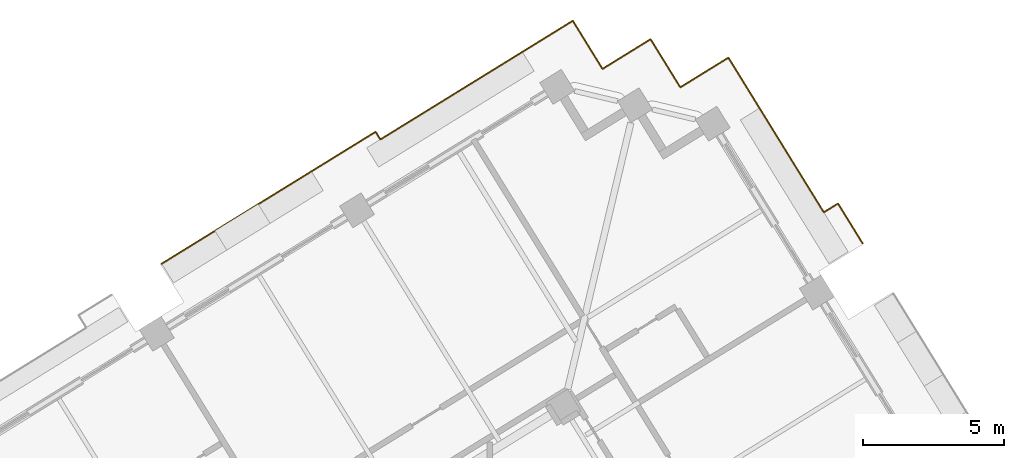
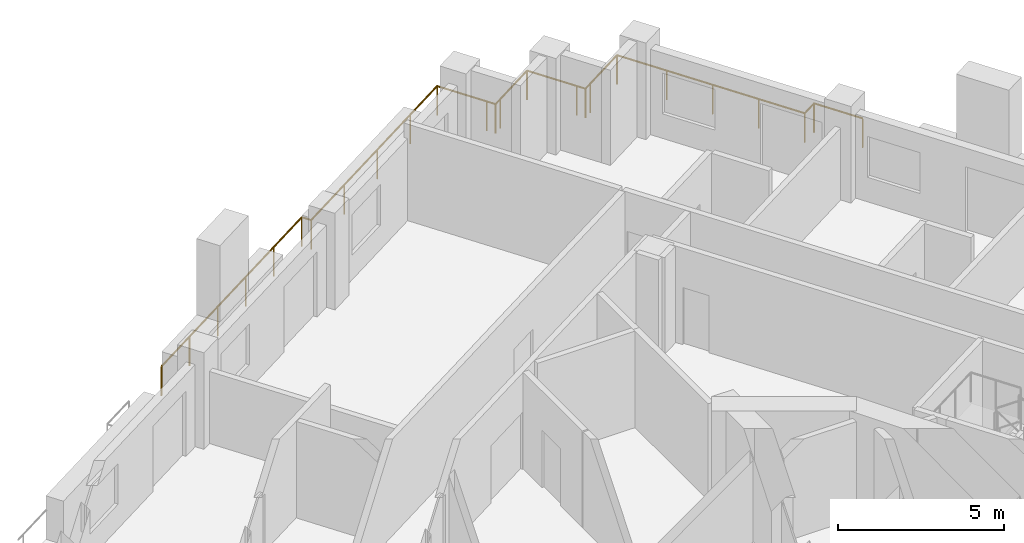
# One storey, part 19 of 20: 2 railings.
"""IFC4 building model written with IfcOpenShell, lengths in metres."""

from ifc_helpers import new_model, si_unit, direction, frame, origin, origin_2d, place, context, subcontext, project, spatial, circle, extrude, material, type_object, element, save


model = new_model("IFC4")

# Units and contexts
model_context = context("Model", 3, precision=1e-05, world=origin(), true_north=direction((0.0, 1.0)))
body_context = subcontext(model_context, "Body", "Model", "MODEL_VIEW")
ifc_project = project(units=[si_unit("LENGTHUNIT", "METRE"), si_unit("AREAUNIT", "SQUARE_METRE"), si_unit("VOLUMEUNIT", "CUBIC_METRE"), si_unit("PLANEANGLEUNIT", "RADIAN"), si_unit("MASSUNIT", "GRAM", prefix="KILO")], contexts=[model_context])

# Site, building, storey
site_placement = place(None, origin())
site = spatial("IfcSite", under=ifc_project, at=site_placement, CompositionType="ELEMENT")
building_placement = place(site_placement, origin())
building = spatial("IfcBuilding", under=site, at=building_placement, Name="Cantera Rosa Tower", CompositionType="ELEMENT")
storey_placement = place(building_placement, frame((0.0, 0.0, 155.199951171875)))
storey = spatial("IfcBuildingStorey", under=building, at=storey_placement, Name="L33", CompositionType="ELEMENT", Elevation=155.199951171875)

# Railings
ifc_material = material(Name="Stainless steel and laminated glass", Category="steel")
railing_type = type_object("IfcRailingType", Name="GUARD 1100", PredefinedType="BALUSTRADE", material=ifc_material)
railing_1_placement = place(storey_placement, frame((12.44873046875, 30.2958984375, 0.0)))
element("IfcRailing", 1, at=railing_1_placement, inside=storey, type_object=railing_type, Name="GUARD L33-13", PredefinedType="BALUSTRADE", context=body_context, shape_type="SweptSolid", body=[
    extrude(circle(Radius=0.030029296875, at=origin_2d()), frame((0.0, 0.0, 1.070068359375), z_axis=(0.524994468487, -0.851105638601, 0.0), x_axis=(0.851105638601, 0.524994468487, 0.0)), (0.0, 0.0, 1.0), 1.7001953125),
    extrude(circle(Radius=0.030029296875, at=origin_2d()), frame((0.892578125, -1.447021484375, 1.070068359375), z_axis=(0.525004673435, -0.851099343715, 0.0), x_axis=(0.851099343715, 0.525004673435, 0.0)), (0.0, 0.0, 1.0), 4.72802734375),
    extrude(circle(Radius=0.030029296875, at=origin_2d()), frame((3.374755859375, -5.470947265625, 1.070068359375), z_axis=(0.851204663561, 0.524833898231, 0.0), x_axis=(-0.524833898231, 0.851204663561, 0.0)), (0.0, 0.0, 1.0), 0.591796875),
    extrude(circle(Radius=0.030029296875, at=origin_2d()), frame((3.87841796875, -5.160400390625, 1.070068359375), z_axis=(0.525064312401, -0.85106255225, 0.0), x_axis=(0.85106255225, 0.525064312401, 0.0)), (0.0, 0.0, 1.0), 1.661865234375),
    extrude(circle(Radius=0.02490234375, at=origin_2d()), origin(), (0.0, 0.0, 1.0), 1.0400390625),
    extrude(circle(Radius=0.02490234375, at=origin_2d()), frame((0.892578125, -1.447021484375, 0.0)), (0.0, 0.0, 1.0), 1.0400390625),
    extrude(circle(Radius=0.02490234375, at=origin_2d()), frame((1.719970703125, -2.788330078125, 0.0)), (0.0, 0.0, 1.0), 1.0400390625),
    extrude(circle(Radius=0.02490234375, at=origin_2d()), frame((2.54736328125, -4.129638671875, 0.0)), (0.0, 0.0, 1.0), 1.0400390625),
    extrude(circle(Radius=0.02490234375, at=origin_2d()), frame((3.374755859375, -5.470947265625, 0.0)), (0.0, 0.0, 1.0), 1.0400390625),
    extrude(circle(Radius=0.02490234375, at=origin_2d()), frame((3.87841796875, -5.160400390625, 0.0)), (0.0, 0.0, 1.0), 1.0400390625),
    extrude(circle(Radius=0.02490234375, at=origin_2d()), frame((4.7509765625, -6.57470703125, 0.0)), (0.0, 0.0, 1.0), 1.0400390625),
])
railing_2_placement = place(storey_placement, frame((-7.6162109375, 22.99560546875, 0.0)))
element("IfcRailing", 2, at=railing_2_placement, inside=storey, type_object=railing_type, Name="GUARD L33-14", PredefinedType="BALUSTRADE", context=body_context, shape_type="SweptSolid", body=[
    extrude(circle(Radius=0.030029296875, at=origin_2d()), frame((0.0, 0.0, 1.070068359375), z_axis=(0.851115983017, 0.524977698053, 0.0), x_axis=(-0.524977698053, 0.851115983017, 0.0)), (0.0, 0.0, 1.0), 8.910400390625),
    extrude(circle(Radius=0.030029296875, at=origin_2d()), frame((7.583740234375, 4.677734375, 1.070068359375), z_axis=(0.525330545402, -0.850898241899, 0.0), x_axis=(0.850898241899, 0.525330545402, 0.0)), (0.0, 0.0, 1.0), 0.3203125),
    extrude(circle(Radius=0.030029296875, at=origin_2d()), frame((7.751953125, 4.4052734375, 1.070068359375), z_axis=(0.851122963342, 0.524966381087, 0.0), x_axis=(-0.524966381087, 0.851122963342, 0.0)), (0.0, 0.0, 1.0), 6.2998046875),
    extrude(circle(Radius=0.030029296875, at=origin_2d()), frame((13.11376953125, 7.71240234375, 1.070068359375), z_axis=(0.851130227454, 0.524954603669, 0.0), x_axis=(-0.524954603669, 0.851130227454, 0.0)), (0.0, 0.0, 1.0), 1.699951171875),
    extrude(circle(Radius=0.030029296875, at=origin_2d()), frame((14.560546875, 8.604736328125, 1.070068359375), z_axis=(0.525058638144, -0.851066052965, 0.0), x_axis=(0.851066052965, 0.525058638144, 0.0)), (0.0, 0.0, 1.0), 1.699951171875),
    extrude(circle(Radius=0.030029296875, at=origin_2d()), frame((15.453125, 7.157958984375, 1.070068359375), z_axis=(0.524869051004, -0.85118298814, 0.0), x_axis=(0.85118298814, 0.524869051004, 0.0)), (0.0, 0.0, 1.0), 0.300048828125),
    extrude(circle(Radius=0.030029296875, at=origin_2d()), frame((15.610595703125, 6.902587890625, 1.070068359375), z_axis=(0.85118298814, 0.524869051004, 0.0), x_axis=(-0.524869051004, 0.85118298814, 0.0)), (0.0, 0.0, 1.0), 0.300048828125),
    extrude(circle(Radius=0.030029296875, at=origin_2d()), frame((15.865966796875, 7.06005859375, 1.070068359375), z_axis=(0.851066052965, 0.525058638144, 0.0), x_axis=(-0.525058638144, 0.851066052965, 0.0)), (0.0, 0.0, 1.0), 1.699951171875),
    extrude(circle(Radius=0.030029296875, at=origin_2d()), frame((17.312744140625, 7.95263671875, 1.070068359375), z_axis=(0.524994468487, -0.851105638601, 0.0), x_axis=(0.851105638601, 0.524994468487, 0.0)), (0.0, 0.0, 1.0), 1.7001953125),
    extrude(circle(Radius=0.030029296875, at=origin_2d()), frame((18.205322265625, 6.505615234375, 1.070068359375), z_axis=(0.524869051004, -0.85118298814, 0.0), x_axis=(0.85118298814, 0.524869051004, 0.0)), (0.0, 0.0, 1.0), 0.300048828125),
    extrude(circle(Radius=0.030029296875, at=origin_2d()), frame((18.36279296875, 6.250244140625, 1.070068359375), z_axis=(0.85118298814, 0.524869051004, 0.0), x_axis=(-0.524869051004, 0.85118298814, 0.0)), (0.0, 0.0, 1.0), 0.300048828125),
    extrude(circle(Radius=0.030029296875, at=origin_2d()), frame((18.6181640625, 6.40771484375, 1.070068359375), z_axis=(0.851066052965, 0.525058638144, 0.0), x_axis=(-0.525058638144, 0.851066052965, 0.0)), (0.0, 0.0, 1.0), 1.699951171875),
    extrude(circle(Radius=0.02490234375, at=origin_2d()), origin(), (0.0, 0.0, 1.0), 1.0400390625),
    extrude(circle(Radius=0.02490234375, at=origin_2d()), frame((1.516845703125, 0.935546875, 0.0)), (0.0, 0.0, 1.0), 1.0400390625),
    extrude(circle(Radius=0.02490234375, at=origin_2d()), frame((3.033447265625, 1.87109375, 0.0)), (0.0, 0.0, 1.0), 1.0400390625),
    extrude(circle(Radius=0.02490234375, at=origin_2d()), frame((4.55029296875, 2.806640625, 0.0)), (0.0, 0.0, 1.0), 1.0400390625),
    extrude(circle(Radius=0.02490234375, at=origin_2d()), frame((6.06689453125, 3.7421875, 0.0)), (0.0, 0.0, 1.0), 1.0400390625),
    extrude(circle(Radius=0.02490234375, at=origin_2d()), frame((7.583740234375, 4.677734375, 0.0)), (0.0, 0.0, 1.0), 1.0400390625),
    extrude(circle(Radius=0.02490234375, at=origin_2d()), frame((7.751953125, 4.4052734375, 0.0)), (0.0, 0.0, 1.0), 1.0400390625),
    extrude(circle(Radius=0.02490234375, at=origin_2d()), frame((9.539306640625, 5.507568359375, 0.0)), (0.0, 0.0, 1.0), 1.0400390625),
    extrude(circle(Radius=0.02490234375, at=origin_2d()), frame((11.326416015625, 6.610107421875, 0.0)), (0.0, 0.0, 1.0), 1.0400390625),
    extrude(circle(Radius=0.02490234375, at=origin_2d()), frame((13.11376953125, 7.71240234375, 0.0)), (0.0, 0.0, 1.0), 1.0400390625),
    extrude(circle(Radius=0.02490234375, at=origin_2d()), frame((14.560546875, 8.604736328125, 0.0)), (0.0, 0.0, 1.0), 1.0400390625),
    extrude(circle(Radius=0.02490234375, at=origin_2d()), frame((15.453125, 7.157958984375, 0.0)), (0.0, 0.0, 1.0), 1.0400390625),
    extrude(circle(Radius=0.02490234375, at=origin_2d()), frame((15.610595703125, 6.902587890625, 0.0)), (0.0, 0.0, 1.0), 1.0400390625),
    extrude(circle(Radius=0.02490234375, at=origin_2d()), frame((15.865966796875, 7.06005859375, 0.0)), (0.0, 0.0, 1.0), 1.0400390625),
    extrude(circle(Radius=0.02490234375, at=origin_2d()), frame((17.312744140625, 7.95263671875, 0.0)), (0.0, 0.0, 1.0), 1.0400390625),
    extrude(circle(Radius=0.02490234375, at=origin_2d()), frame((18.205322265625, 6.505615234375, 0.0)), (0.0, 0.0, 1.0), 1.0400390625),
    extrude(circle(Radius=0.02490234375, at=origin_2d()), frame((18.36279296875, 6.250244140625, 0.0)), (0.0, 0.0, 1.0), 1.0400390625),
    extrude(circle(Radius=0.02490234375, at=origin_2d()), frame((18.6181640625, 6.40771484375, 0.0)), (0.0, 0.0, 1.0), 1.0400390625),
    extrude(circle(Radius=0.02490234375, at=origin_2d()), frame((20.06494140625, 7.30029296875, 0.0)), (0.0, 0.0, 1.0), 1.0400390625),
])

save(model, "model.ifc")
